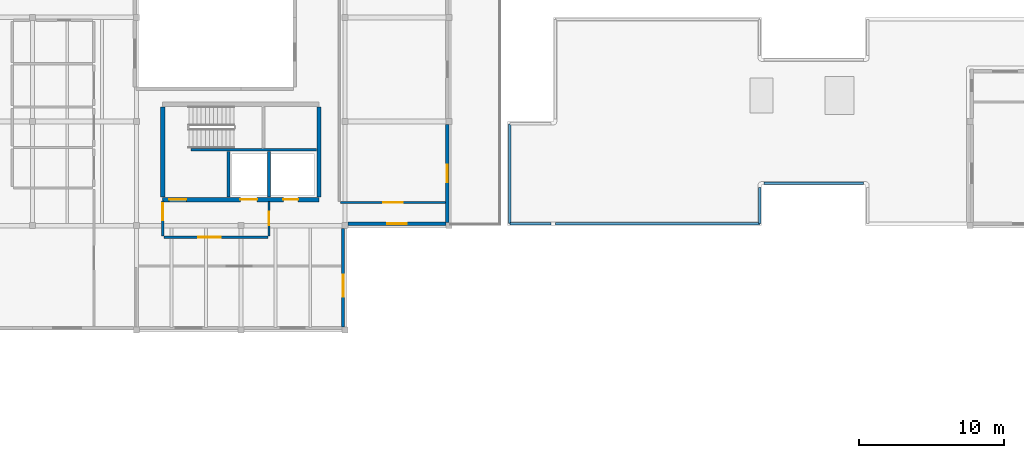
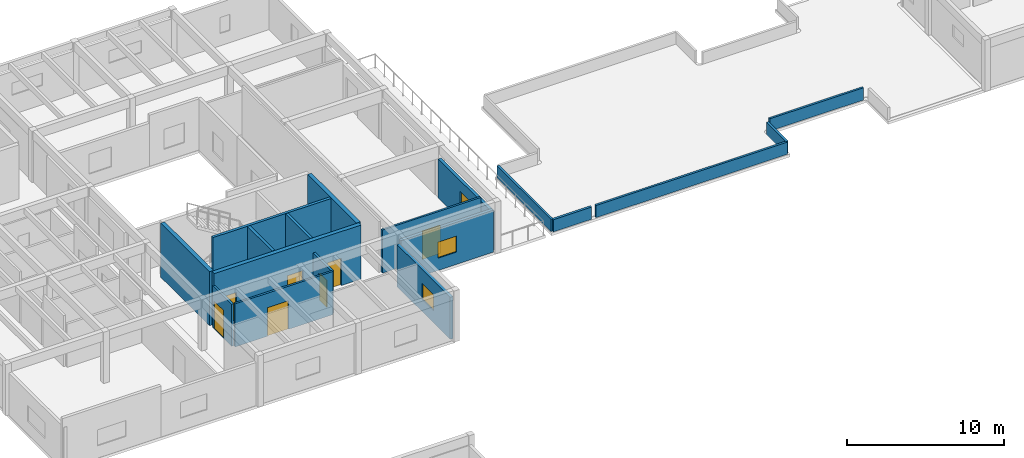
# One storey, part 5 of 15: 18 walls, 7 doors, 3 windows, 10 openings.
"""IFC4 building model written with IfcOpenShell, lengths in metres."""

import ifcopenshell
import ifcopenshell.guid

model = None  # the IFC model being written
_history = None  # IfcOwnerHistory: only IFC2X3 demands one
_inside = {}  # id of a spatial element -> (the spatial element, [elements in it])
_under = {}  # id of a project, library or spatial element -> (it, [spatial elements below it])
_declared = {}  # id of a project -> (the project, [libraries it declares])
_typed = {}  # id of a type object -> (the type object, [elements of that type])
_made_of = {}  # id of a material, layer set ... -> (it, [elements and type objects made of it])


def new_model(schema):
    """Start an empty IFC model of exactly this schema.

    Asked for "IFC4X3", IfcOpenShell would pick the latest addendum, in which some entities
    have other attributes; the version numbers below select the first issue.
    IFC2X3 requires an IfcOwnerHistory on every rooted entity: one is made here for all.
    """
    global model, _history
    if schema == "IFC4X3":
        model = ifcopenshell.file(schema_version=(4, 3, 0, 0))
    else:
        model = ifcopenshell.file(schema=schema)
    _inside.clear()
    _under.clear()
    _declared.clear()
    _typed.clear()
    _made_of.clear()
    _history = None
    if model.schema == "IFC2X3":
        org = make("IfcOrganization", Name="unknown")
        user = make(
            "IfcPersonAndOrganization",
            ThePerson=make("IfcPerson", FamilyName="unknown"),
            TheOrganization=org,
        )
        app = make(
            "IfcApplication",
            ApplicationDeveloper=org,
            Version="unknown",
            ApplicationFullName="unknown",
            ApplicationIdentifier="unknown",
        )
        _history = make(
            "IfcOwnerHistory",
            OwningUser=user,
            OwningApplication=app,
            ChangeAction="ADDED",
            CreationDate=0,
        )
    return model


def make(cls, **values):
    """One entity of the class cls with the attributes given. An attribute that is None is left unset."""
    return model.create_entity(
        cls, **{name: value for name, value in values.items() if value is not None}
    )


def rooted(cls, **values):
    """An entity with a GlobalId (a new one), such as an element, a storey or a relation."""
    return make(cls, GlobalId=ifcopenshell.guid.new(), OwnerHistory=_history, **values)


def si_unit(unit_type, name, prefix=None):
    """IfcSIUnit, for example si_unit("LENGTHUNIT", "METRE", prefix="MILLI")."""
    return make("IfcSIUnit", UnitType=unit_type, Prefix=prefix, Name=name)


def assignment(units):
    """IfcUnitAssignment: the units of a project."""
    return None if units is None else make("IfcUnitAssignment", Units=units)


def point(xyz):
    """IfcCartesianPoint."""
    return None if xyz is None else make("IfcCartesianPoint", Coordinates=xyz)


def direction(xyz):
    """IfcDirection."""
    return None if xyz is None else make("IfcDirection", DirectionRatios=xyz)


def frame(location, z_axis=None, x_axis=None):
    """IfcAxis2Placement3D, a coordinate frame: its origin and axes. An axis left out is left unset."""
    return make(
        "IfcAxis2Placement3D",
        Location=point(location),
        Axis=direction(z_axis),
        RefDirection=direction(x_axis),
    )


def frame_2d(location, x_axis=None):
    """IfcAxis2Placement2D, a coordinate frame in the plane: its origin and x axis."""
    return make(
        "IfcAxis2Placement2D", Location=point(location), RefDirection=direction(x_axis)
    )


def origin():
    """The frame at (0, 0, 0) with its axes left unset."""
    return frame((0.0, 0.0, 0.0))


def place(relative_to, where):
    """IfcLocalPlacement: puts the frame where relative to a parent placement (None: the world)."""
    return make(
        "IfcLocalPlacement", PlacementRelTo=relative_to, RelativePlacement=where
    )


def context(
    kind, dimensions, precision=None, world=None, true_north=None, identifier=None
):
    """IfcGeometricRepresentationContext, for example the 3D "Model" context."""
    return make(
        "IfcGeometricRepresentationContext",
        ContextIdentifier=identifier,
        ContextType=kind,
        CoordinateSpaceDimension=dimensions,
        Precision=precision,
        WorldCoordinateSystem=world,
        TrueNorth=true_north,
    )


def subcontext(parent, identifier, kind, view, scale=None):
    """IfcGeometricRepresentationSubContext, for example "Body" below "Model"."""
    return make(
        "IfcGeometricRepresentationSubContext",
        ContextIdentifier=identifier,
        ContextType=kind,
        ParentContext=parent,
        TargetScale=scale,
        TargetView=view,
    )


def project(units=None, contexts=None):
    """IfcProject with its units and contexts."""
    return rooted(
        "IfcProject",
        Name="project",
        RepresentationContexts=contexts,
        UnitsInContext=assignment(units),
    )


def spatial(cls, under=None, at=None, **own):
    """A site, building, storey or space (cls), placed at a placement, below another one or the project."""
    s = rooted(cls, ObjectPlacement=at, **own)
    if under is not None:
        _under.setdefault(under.id(), (under, []))[1].append(s)
    return s


def profile(cls, at=None, kind="AREA", **sizes):
    """A parametric profile (cls). Its sizes go by their IFC names, for example OverallWidth=200.0."""
    return make(cls, ProfileType=kind, Position=at, **sizes)


def rectangle(**sizes):
    """IfcRectangleProfileDef."""
    return profile("IfcRectangleProfileDef", **sizes)


def extrude(swept, where, along, depth):
    """IfcExtrudedAreaSolid: the profile swept, set in the frame where, extruded along a direction by depth."""
    return make(
        "IfcExtrudedAreaSolid",
        SweptArea=swept,
        Position=where,
        ExtrudedDirection=direction(along),
        Depth=depth,
    )


def shape(context_of_items, identifier, shape_type, items):
    """IfcShapeRepresentation: the items that make up one representation, for example the "Body"."""
    return make(
        "IfcShapeRepresentation",
        ContextOfItems=context_of_items,
        RepresentationIdentifier=identifier,
        RepresentationType=shape_type,
        Items=items,
    )


def material(Name=None, Category=None):
    """IfcMaterial."""
    return make("IfcMaterial", Name=Name, Category=Category)


def layer(
    of_material, thickness, ventilated=None, Name=None, Category=None, Priority=None
):
    """IfcMaterialLayer: one layer of a wall or slab, of a material (None: an air gap)."""
    return make(
        "IfcMaterialLayer",
        Material=of_material,
        LayerThickness=thickness,
        IsVentilated=ventilated,
        Name=Name,
        Category=Category,
        Priority=Priority,
    )


def layer_set(layers, Name=None):
    """IfcMaterialLayerSet."""
    return make("IfcMaterialLayerSet", MaterialLayers=layers, LayerSetName=Name)


def made_of(thing, what):
    """Note that an element or type object is made of a material, layer set ...; save() writes the relation."""
    if what is not None:
        _made_of.setdefault(what.id(), (what, []))[1].append(thing)
    return thing


def type_object(cls, material=None, **own):
    """A type object (cls), such as IfcWallType, which elements share."""
    return made_of(rooted(cls, **own), material)


def element(
    cls,
    number,
    at=None,
    inside=None,
    cuts=None,
    type_object=None,
    material=None,
    context=None,
    identifier="Body",
    shape_type=None,
    held_by="IfcProductDefinitionShape",
    body=None,
    shapes=None,
    **own,
):
    """One element of the class cls, such as IfcWall. Its Tag is "e" and its number.

    at: its placement. inside: the storey or other place that contains it. cuts: it is an
    opening in that element (IfcRelVoidsElement). A single representation is given by context,
    identifier, shape_type and body (its items); several are given by shapes. held_by: the class
    of the entity that holds the representations. save() writes the other relations.
    """
    e = rooted(cls, Tag="e%d" % number, ObjectPlacement=at, **own)
    if body is not None:
        shapes = [shape(context, identifier, shape_type, body)]
    if shapes is not None:
        e.Representation = make(held_by, Representations=shapes)
    if inside is not None:
        _inside.setdefault(inside.id(), (inside, []))[1].append(e)
    if cuts is not None:
        rooted(
            "IfcRelVoidsElement", RelatingBuildingElement=cuts, RelatedOpeningElement=e
        )
    if type_object is not None:
        _typed.setdefault(type_object.id(), (type_object, []))[1].append(e)
    return made_of(e, material)


def fill(opening, filler):
    """IfcRelFillsElement: the door or window that sits in an opening."""
    return rooted(
        "IfcRelFillsElement",
        RelatingOpeningElement=opening,
        RelatedBuildingElement=filler,
    )


def aggregate(whole, parts):
    """IfcRelAggregates: a whole, such as a stair, and the parts it consists of."""
    return rooted("IfcRelAggregates", RelatingObject=whole, RelatedObjects=parts)


def save(model, path):
    """Write the relations noted so far, then the file.

    IfcRelAggregates (storeys below a building ...), IfcRelContainedInSpatialStructure (elements
    in a storey), IfcRelDefinesByType, IfcRelAssociatesMaterial and IfcRelDeclares: one each for
    every whole, place, type object, material and project.
    """
    for whole, parts in _under.values():
        aggregate(whole, parts)
    for where, things in _inside.values():
        rooted(
            "IfcRelContainedInSpatialStructure",
            RelatedElements=things,
            RelatingStructure=where,
        )
    for kind, things in _typed.values():
        rooted("IfcRelDefinesByType", RelatedObjects=things, RelatingType=kind)
    for what, things in _made_of.values():
        rooted("IfcRelAssociatesMaterial", RelatedObjects=things, RelatingMaterial=what)
    for by, libraries in _declared.values():
        rooted("IfcRelDeclares", RelatingContext=by, RelatedDefinitions=libraries)
    model.write(path)


model = new_model("IFC4")

# Units and contexts
model_context = context("Model", 3, precision=1e-05, world=origin(), true_north=direction((0.0, 1.0)))
body_context = subcontext(model_context, "Body", "Model", "MODEL_VIEW")
ifc_project = project(units=[si_unit("LENGTHUNIT", "METRE"), si_unit("AREAUNIT", "SQUARE_METRE"), si_unit("VOLUMEUNIT", "CUBIC_METRE"), si_unit("PLANEANGLEUNIT", "RADIAN"), si_unit("MASSUNIT", "GRAM", prefix="KILO")], contexts=[model_context])

# Site, building, storey
site_placement = place(None, origin())
site = spatial("IfcSite", under=ifc_project, at=site_placement, CompositionType="ELEMENT")
building_placement = place(site_placement, origin())
building = spatial("IfcBuilding", under=site, at=building_placement, Name="Bramvelor Terrace Health Centre", CompositionType="ELEMENT")
storey_placement = place(building_placement, frame((0.0, 0.0, 13.5)))
storey = spatial("IfcBuildingStorey", under=building, at=storey_placement, Name="L04", CompositionType="ELEMENT", Elevation=13.5)

# Wall, opening, door
ifc_material_1 = material(Name="Fire-rated gypsum and mineral wool", Category="gypsum")
ifc_layer_1 = layer(ifc_material_1, 0.139892578125)
ifc_layer_set_1 = layer_set([ifc_layer_1], Name="Fire-rated gypsum and mineral wool")
wall_type_1 = type_object("IfcWallType", Name="WL-COR-140", PredefinedType="PARTITIONING", material=ifc_layer_set_1)
wall_1_placement = place(storey_placement, frame((35.75, 88.001953125, 0.0), z_axis=(0.0, 0.0, 1.0), x_axis=(-1.0, 0.0, 0.0)))
wall_1 = element("IfcWall", 1, at=wall_1_placement, inside=storey, type_object=wall_type_1, Name="L04 Interior Partition 303", PredefinedType="PARTITIONING", context=body_context, shape_type="SweptSolid", body=[
    extrude(rectangle(XDim=7.258056640625, YDim=0.139892578125, at=frame_2d((3.62890625, 0.0))), origin(), (0.0, 0.0, 1.0), 3.35009765625),
])
opening_1_placement = place(wall_1_placement, frame((2.968994140625, 0.0, 0.0)))
opening_1 = element("IfcOpeningElement", 2, at=opening_1_placement, cuts=wall_1, Name="Opening FD-05", PredefinedType="OPENING", context=body_context, shape_type="SweptSolid", body=[
    extrude(rectangle(XDim=1.320068359375, YDim=2.199951171875, at=frame_2d((0.66015625, 1.10009765625))), frame((0.0, 0.079833984375, 0.0), z_axis=(0.0, -1.0, 0.0), x_axis=(1.0, 0.0, 0.0)), (0.0, 0.0, 1.0), 0.159912109375),
])
ifc_material_2 = material(Name="Fire-rated steel and vision panel", Category="steel")
door_type_1 = type_object("IfcDoorType", Name="DR-FD60-132", OperationType="NOTDEFINED", PredefinedType="DOOR", material=ifc_material_2)
door_1_placement = place(opening_1_placement, origin())
door_1 = element("IfcDoor", 3, at=door_1_placement, inside=storey, type_object=door_type_1, Name="L04 Step-2 Terrace Rehabilitation Lounge Fire Door", OperationType="SINGLE_SWING_LEFT", OverallHeight=2.199951171875, OverallWidth=1.320068359375, PredefinedType="DOOR", context=body_context, shape_type="SweptSolid", body=[
    extrude(rectangle(XDim=1.320068359375, YDim=2.199951171875, at=frame_2d((0.66015625, 1.10009765625))), frame((0.0, 0.02490234375, 0.0), z_axis=(0.0, -1.0, 0.0), x_axis=(1.0, 0.0, 0.0)), (0.0, 0.0, 1.0), 0.050048828125),
])
fill(opening_1, door_1)

# Walls
ifc_material_3 = material(Name="Concrete C40/50", Category="concrete")
ifc_layer_2 = layer(ifc_material_3, 0.199951171875)
ifc_layer_set_2 = layer_set([ifc_layer_2], Name="Concrete C40/50")
wall_type_2 = type_object("IfcWallType", Name="WL-CORE-200", PredefinedType="SHEAR", material=ifc_layer_set_2)
wall_2_placement = place(storey_placement, frame((18.14990234375, 91.64990234375, 0.0), z_axis=(0.0, 0.0, 1.0), x_axis=(1.0, 0.0, 0.0)))
element("IfcWall", 4, at=wall_2_placement, inside=storey, type_object=wall_type_2, Name="C2 L04 Core Shear Wall", PredefinedType="SHEAR", context=body_context, shape_type="SweptSolid", body=[
    extrude(rectangle(XDim=8.670166015625, YDim=0.199951171875, at=frame_2d((4.3349609375, 0.0))), origin(), (0.0, 0.0, 1.0), 4.199951171875),
])
for number, where, z_axis, x_axis, name in (
    (5, (20.75, 88.3798828125, 0.0), (0.0, 0.0, 1.0), (0.0, 1.0, 0.0), "C2 L04 Core Shear Wall"),
    (6, (23.550048828125, 88.3798828125, 0.0), (0.0, 0.0, 1.0), (0.0, 1.0, 0.0), "C2 L04 Lift Divider Wall"),
):
    element("IfcWall", number, at=place(storey_placement, frame(where, z_axis=z_axis, x_axis=x_axis)), inside=storey, type_object=wall_type_2, Name=name, PredefinedType="SHEAR", context=body_context, shape_type="SweptSolid", body=[
        extrude(rectangle(XDim=3.150146484375, YDim=0.199951171875, at=frame_2d((1.5751953125, 0.0))), origin(), (0.0, 0.0, 1.0), 4.199951171875),
    ])

# Wall, openings, doors
ifc_material_4 = material(Name="Concrete C40/50", Category="concrete")
ifc_layer_3 = layer(ifc_material_4, 0.300048828125)
ifc_layer_set_3 = layer_set([ifc_layer_3], Name="Concrete C40/50")
wall_type_3 = type_object("IfcWallType", Name="WL-CORE-300", PredefinedType="SHEAR", material=ifc_layer_set_3)
wall_3_placement = place(storey_placement, frame((16.199951171875, 88.199951171875, 0.0), z_axis=(0.0, 0.0, 1.0), x_axis=(1.0, 0.0, 0.0)))
wall_3 = element("IfcWall", 7, at=wall_3_placement, inside=storey, type_object=wall_type_3, Name="C2 L04 Core Shear Wall", PredefinedType="SHEAR", context=body_context, shape_type="SweptSolid", body=[
    extrude(rectangle(XDim=10.800048828125, YDim=0.300048828125, at=frame_2d((5.39990234375, 0.0))), origin(), (0.0, 0.0, 1.0), 4.199951171875),
])
opening_2_placement = place(wall_3_placement, frame((0.449951171875, 0.0, 0.0)))
opening_2 = element("IfcOpeningElement", 8, at=opening_2_placement, cuts=wall_3, Name="Opening FD-02", PredefinedType="OPENING", context=body_context, shape_type="SweptSolid", body=[
    extrude(rectangle(XDim=1.179931640625, YDim=2.159912109375, at=frame_2d((0.58984375, 1.080078125))), frame((0.0, 0.159912109375, 0.0), z_axis=(0.0, -1.0, 0.0), x_axis=(1.0, 0.0, 0.0)), (0.0, 0.0, 1.0), 0.320068359375),
])
opening_3_placement = place(wall_3_placement, frame((5.375, 0.0, 0.0)))
opening_3 = element("IfcOpeningElement", 9, at=opening_3_placement, cuts=wall_3, Name="Opening LD-1", PredefinedType="OPENING", context=body_context, shape_type="SweptSolid", body=[
    extrude(rectangle(XDim=1.14990234375, YDim=2.14990234375, at=frame_2d((0.574951171875, 1.074951171875))), frame((0.0, 0.159912109375, 0.0), z_axis=(0.0, -1.0, 0.0), x_axis=(1.0, 0.0, 0.0)), (0.0, 0.0, 1.0), 0.320068359375),
])
opening_4_placement = place(wall_3_placement, frame((8.340087890625, 0.0, 0.0)))
opening_4 = element("IfcOpeningElement", 10, at=opening_4_placement, cuts=wall_3, Name="Opening LD-2", PredefinedType="OPENING", context=body_context, shape_type="SweptSolid", body=[
    extrude(rectangle(XDim=1.02001953125, YDim=2.1201171875, at=frame_2d((0.510009765625, 1.06005859375))), frame((0.0, 0.159912109375, 0.0), z_axis=(0.0, -1.0, 0.0), x_axis=(1.0, 0.0, 0.0)), (0.0, 0.0, 1.0), 0.320068359375),
])
ifc_material_5 = material(Name="Fire-rated steel and vision panel", Category="steel")
door_type_2 = type_object("IfcDoorType", Name="DR-FD90-118", OperationType="NOTDEFINED", PredefinedType="DOOR", material=ifc_material_5)
door_2_placement = place(opening_2_placement, origin())
door_2 = element("IfcDoor", 11, at=door_2_placement, inside=storey, type_object=door_type_2, Name="C2 L04 Core Stair Fire Door", OperationType="SINGLE_SWING_LEFT", OverallHeight=2.159912109375, OverallWidth=1.179931640625, PredefinedType="DOOR", context=body_context, shape_type="SweptSolid", body=[
    extrude(rectangle(XDim=1.179931640625, YDim=2.159912109375, at=frame_2d((0.58984375, 1.080078125))), frame((0.0, 0.02490234375, 0.0), z_axis=(0.0, -1.0, 0.0), x_axis=(1.0, 0.0, 0.0)), (0.0, 0.0, 1.0), 0.050048828125),
])
fill(opening_2, door_2)
ifc_material_6 = material(Name="Brushed stainless steel 316", Category="steel")
door_type_3 = type_object("IfcDoorType", Name="DR-LIFT-FF115", OperationType="DOUBLE_DOOR_SLIDING", PredefinedType="DOOR", material=ifc_material_6)
door_3_placement = place(opening_3_placement, origin())
door_3 = element("IfcDoor", 12, at=door_3_placement, inside=storey, type_object=door_type_3, Name="Lift LF-02 L04 Sliding Landing Door", OperationType="DOUBLE_DOOR_SLIDING", OverallHeight=2.14990234375, OverallWidth=1.14990234375, PredefinedType="DOOR", context=body_context, shape_type="SweptSolid", body=[
    extrude(rectangle(XDim=1.14990234375, YDim=2.14990234375, at=frame_2d((0.574951171875, 1.074951171875))), frame((0.0, 0.02490234375, 0.0), z_axis=(0.0, -1.0, 0.0), x_axis=(1.0, 0.0, 0.0)), (0.0, 0.0, 1.0), 0.050048828125),
])
fill(opening_3, door_3)
ifc_material_7 = material(Name="Brushed stainless steel 316", Category="steel")
door_type_4 = type_object("IfcDoorType", Name="DR-LIFT-PS102", OperationType="SLIDING_TO_LEFT", PredefinedType="DOOR", material=ifc_material_7)
door_4_placement = place(opening_4_placement, origin())
door_4 = element("IfcDoor", 13, at=door_4_placement, inside=storey, type_object=door_type_4, Name="Lift LP-02 L04 Sliding Landing Door", OperationType="SLIDING_TO_LEFT", OverallHeight=2.1201171875, OverallWidth=1.02001953125, PredefinedType="DOOR", context=body_context, shape_type="SweptSolid", body=[
    extrude(rectangle(XDim=1.02001953125, YDim=2.1201171875, at=frame_2d((0.510009765625, 1.06005859375))), frame((0.0, 0.02490234375, 0.0), z_axis=(0.0, -1.0, 0.0), x_axis=(1.0, 0.0, 0.0)), (0.0, 0.0, 1.0), 0.050048828125),
])
fill(opening_4, door_4)

# Walls
for number, where, z_axis, x_axis, name in (
    (14, (16.199951171875, 88.3798828125, 0.0), (0.0, 0.0, 1.0), (0.0, 1.0, 0.0), "C2 L04 Core Shear Wall"),
    (15, (27.0, 88.3798828125, 0.0), (0.0, 0.0, 1.0), (0.0, 1.0, 0.0), "C2 L04 Core Shear Wall"),
):
    element("IfcWall", number, at=place(storey_placement, frame(where, z_axis=z_axis, x_axis=x_axis)), inside=storey, type_object=wall_type_3, Name=name, PredefinedType="SHEAR", context=body_context, shape_type="SweptSolid", body=[
        extrude(rectangle(XDim=6.240234375, YDim=0.300048828125, at=frame_2d((3.1201171875, 0.0))), origin(), (0.0, 0.0, 1.0), 4.199951171875),
    ])

# Wall, opening, window
ifc_material_8 = material(Name="Cross-laminated timber C24", Category="wood")
ifc_layer_4 = layer(ifc_material_8, 0.219970703125)
ifc_layer_set_4 = layer_set([ifc_layer_4], Name="Cross-laminated timber C24")
wall_type_4 = type_object("IfcWallType", Name="WL-EXT-CLT220", PredefinedType="SOLIDWALL", material=ifc_layer_set_4)
wall_4_placement = place(storey_placement, frame((35.8701171875, 93.39501953125, 0.0), z_axis=(0.0, 0.0, 1.0), x_axis=(0.0, -1.0, 0.0)))
wall_4 = element("IfcWall", 16, at=wall_4_placement, inside=storey, type_object=wall_type_4, Name="L04 Exterior Facade Wall 38", PredefinedType="SOLIDWALL", context=body_context, shape_type="SweptSolid", body=[
    extrude(rectangle(XDim=6.7900390625, YDim=0.219970703125, at=frame_2d((3.39501953125, 0.0))), origin(), (0.0, 0.0, 1.0), 3.030029296875),
])
opening_5_placement = place(wall_4_placement, frame((2.794921875, 0.0, 0.949951171875)))
opening_5 = element("IfcOpeningElement", 17, at=opening_5_placement, cuts=wall_4, Name="Opening WN-28", PredefinedType="OPENING", context=body_context, shape_type="SweptSolid", body=[
    extrude(rectangle(XDim=1.199951171875, YDim=1.25, at=frame_2d((0.60009765625, 0.625))), frame((0.0, 0.119873046875, 0.0), z_axis=(0.0, -1.0, 0.0), x_axis=(1.0, 0.0, 0.0)), (0.0, 0.0, 1.0), 0.239990234375),
])
ifc_material_9 = material(Name="Double low-E laminated glass", Category="glass")
window_type_1 = type_object("IfcWindowType", Name="WIN-EXT-28", PartitioningType="SINGLE_PANEL", PredefinedType="WINDOW", material=ifc_material_9)
window_1_placement = place(opening_5_placement, origin())
window_1 = element("IfcWindow", 18, at=window_1_placement, inside=storey, type_object=window_type_1, Name="L04 Scheduled Clinical Window 208", OverallHeight=1.25, OverallWidth=1.199951171875, PartitioningType="SINGLE_PANEL", PredefinedType="WINDOW", context=body_context, shape_type="SweptSolid", body=[
    extrude(rectangle(XDim=1.199951171875, YDim=1.25, at=frame_2d((0.60009765625, 0.625))), frame((0.0, 0.030029296875, 0.0), z_axis=(0.0, -1.0, 0.0), x_axis=(1.0, 0.0, 0.0)), (0.0, 0.0, 1.0), 0.06005859375),
])
fill(opening_5, window_1)

wall_5_placement = place(storey_placement, frame((35.794921875, 86.530029296875, 0.0), z_axis=(0.0, 0.0, 1.0), x_axis=(-1.0, 0.0, 0.0)))
wall_5 = element("IfcWall", 19, at=wall_5_placement, inside=storey, type_object=wall_type_4, Name="L04 Exterior Facade Wall 39", PredefinedType="SOLIDWALL", context=body_context, shape_type="SweptSolid", body=[
    extrude(rectangle(XDim=6.7900390625, YDim=0.219970703125, at=frame_2d((3.39501953125, 0.0))), origin(), (0.0, 0.0, 1.0), 3.27001953125),
])
opening_6_placement = place(wall_5_placement, frame((2.719970703125, 0.0, 0.949951171875)))
opening_6 = element("IfcOpeningElement", 20, at=opening_6_placement, cuts=wall_5, Name="Opening WN-29", PredefinedType="OPENING", context=body_context, shape_type="SweptSolid", body=[
    extrude(rectangle(XDim=1.35009765625, YDim=1.25, at=frame_2d((0.675048828125, 0.625))), frame((0.0, 0.119873046875, 0.0), z_axis=(0.0, -1.0, 0.0), x_axis=(1.0, 0.0, 0.0)), (0.0, 0.0, 1.0), 0.239990234375),
])
ifc_material_10 = material(Name="Double low-E laminated glass", Category="glass")
window_type_2 = type_object("IfcWindowType", Name="WIN-EXT-29", PartitioningType="SINGLE_PANEL", PredefinedType="WINDOW", material=ifc_material_10)
window_2_placement = place(opening_6_placement, origin())
window_2 = element("IfcWindow", 21, at=window_2_placement, inside=storey, type_object=window_type_2, Name="L04 Scheduled Clinical Window 209", OverallHeight=1.25, OverallWidth=1.35009765625, PartitioningType="SINGLE_PANEL", PredefinedType="WINDOW", context=body_context, shape_type="SweptSolid", body=[
    extrude(rectangle(XDim=1.35009765625, YDim=1.25, at=frame_2d((0.675048828125, 0.625))), frame((0.0, 0.030029296875, 0.0), z_axis=(0.0, -1.0, 0.0), x_axis=(1.0, 0.0, 0.0)), (0.0, 0.0, 1.0), 0.06005859375),
])
fill(opening_6, window_2)

wall_6_placement = place(storey_placement, frame((28.669921875, 86.195068359375, 0.0), z_axis=(0.0, 0.0, 1.0), x_axis=(0.0, -1.0, 0.0)))
wall_6 = element("IfcWall", 22, at=wall_6_placement, inside=storey, type_object=wall_type_4, Name="L04 Exterior Facade Wall 40", PredefinedType="SOLIDWALL", context=body_context, shape_type="SweptSolid", body=[
    extrude(rectangle(XDim=6.7900390625, YDim=0.219970703125, at=frame_2d((3.39501953125, 0.0))), origin(), (0.0, 0.0, 1.0), 3.27001953125),
])
opening_7_placement = place(wall_6_placement, frame((3.195068359375, 0.0, 0.949951171875)))
opening_7 = element("IfcOpeningElement", 23, at=opening_7_placement, cuts=wall_6, Name="Opening WN-30", PredefinedType="OPENING", context=body_context, shape_type="SweptSolid", body=[
    extrude(rectangle(XDim=1.5, YDim=1.25, at=frame_2d((0.75, 0.625))), frame((0.0, 0.119873046875, 0.0), z_axis=(0.0, -1.0, 0.0), x_axis=(1.0, 0.0, 0.0)), (0.0, 0.0, 1.0), 0.239990234375),
])
ifc_material_11 = material(Name="Double low-E laminated glass", Category="glass")
window_type_3 = type_object("IfcWindowType", Name="WIN-EXT-30", PartitioningType="SINGLE_PANEL", PredefinedType="WINDOW", material=ifc_material_11)
window_3_placement = place(opening_7_placement, origin())
window_3 = element("IfcWindow", 24, at=window_3_placement, inside=storey, type_object=window_type_3, Name="L04 Scheduled Clinical Window 210", OverallHeight=1.25, OverallWidth=1.5, PartitioningType="SINGLE_PANEL", PredefinedType="WINDOW", context=body_context, shape_type="SweptSolid", body=[
    extrude(rectangle(XDim=1.5, YDim=1.25, at=frame_2d((0.75, 0.625))), frame((0.0, 0.030029296875, 0.0), z_axis=(0.0, -1.0, 0.0), x_axis=(1.0, 0.0, 0.0)), (0.0, 0.0, 1.0), 0.06005859375),
])
fill(opening_7, window_3)

# Wall, opening, door
ifc_material_12 = material(Name="Fire-rated gypsum and mineral wool", Category="gypsum")
ifc_layer_5 = layer(ifc_material_12, 0.14990234375)
ifc_layer_set_5 = layer_set([ifc_layer_5], Name="Fire-rated gypsum and mineral wool")
wall_type_5 = type_object("IfcWallType", Name="WL-FIR-150", PredefinedType="PARTITIONING", material=ifc_layer_set_5)
wall_7_placement = place(storey_placement, frame((16.199951171875, 85.68994140625, 0.0), z_axis=(0.0, 0.0, 1.0), x_axis=(0.0, 1.0, 0.0)))
wall_7 = element("IfcWall", 25, at=wall_7_placement, inside=storey, type_object=wall_type_5, Name="L04 Interior Partition 282", PredefinedType="PARTITIONING", context=body_context, shape_type="SweptSolid", body=[
    extrude(rectangle(XDim=2.4150390625, YDim=0.14990234375, at=frame_2d((1.20751953125, 0.0))), origin(), (0.0, 0.0, 1.0), 3.27001953125),
])
opening_8_placement = place(wall_7_placement, frame((1.0673828125, 0.0, 0.0)))
opening_8 = element("IfcOpeningElement", 26, at=opening_8_placement, cuts=wall_7, Name="Opening FD-02", PredefinedType="OPENING", context=body_context, shape_type="SweptSolid", body=[
    extrude(rectangle(XDim=1.179931640625, YDim=2.159912109375, at=frame_2d((0.58984375, 1.080078125))), frame((0.0, 0.0849609375, 0.0), z_axis=(0.0, -1.0, 0.0), x_axis=(1.0, 0.0, 0.0)), (0.0, 0.0, 1.0), 0.169921875),
])
door_5_placement = place(opening_8_placement, origin())
door_5 = element("IfcDoor", 27, at=door_5_placement, inside=storey, type_object=door_type_2, Name="L04 Fire Compartment Lobby Door 115", OperationType="SINGLE_SWING_RIGHT", OverallHeight=2.159912109375, OverallWidth=1.179931640625, PredefinedType="DOOR", context=body_context, shape_type="SweptSolid", body=[
    extrude(rectangle(XDim=1.179931640625, YDim=2.159912109375, at=frame_2d((0.58984375, 1.080078125))), frame((0.0, 0.02490234375, 0.0), z_axis=(0.0, -1.0, 0.0), x_axis=(1.0, 0.0, 0.0)), (0.0, 0.0, 1.0), 0.050048828125),
])
fill(opening_8, door_5)

wall_8_placement = place(storey_placement, frame((23.550048828125, 88.083251953125, 0.0), z_axis=(0.0, 0.0, 1.0), x_axis=(0.0, -1.0, 0.0)))
wall_8 = element("IfcWall", 28, at=wall_8_placement, inside=storey, type_object=wall_type_5, Name="L04 Interior Partition 283", PredefinedType="PARTITIONING", context=body_context, shape_type="SweptSolid", body=[
    extrude(rectangle(XDim=2.393310546875, YDim=0.14990234375, at=frame_2d((1.19677734375, 0.0))), origin(), (0.0, 0.0, 1.0), 3.27001953125),
])
opening_9_placement = place(wall_8_placement, frame((0.7265625, 0.0, 0.0)))
opening_9 = element("IfcOpeningElement", 29, at=opening_9_placement, cuts=wall_8, Name="Opening FD-08", PredefinedType="OPENING", context=body_context, shape_type="SweptSolid", body=[
    extrude(rectangle(XDim=0.93994140625, YDim=2.10009765625, at=frame_2d((0.469970703125, 1.050048828125))), frame((0.0, 0.0849609375, 0.0), z_axis=(0.0, -1.0, 0.0), x_axis=(1.0, 0.0, 0.0)), (0.0, 0.0, 1.0), 0.169921875),
])
ifc_material_13 = material(Name="Fire-rated steel and vision panel", Category="steel")
door_type_5 = type_object("IfcDoorType", Name="DR-FD60-094", OperationType="NOTDEFINED", PredefinedType="DOOR", material=ifc_material_13)
door_6_placement = place(opening_9_placement, origin())
door_6 = element("IfcDoor", 30, at=door_6_placement, inside=storey, type_object=door_type_5, Name="L04 Fire Compartment Lobby Door 116", OperationType="SINGLE_SWING_LEFT", OverallHeight=2.10009765625, OverallWidth=0.93994140625, PredefinedType="DOOR", context=body_context, shape_type="SweptSolid", body=[
    extrude(rectangle(XDim=0.93994140625, YDim=2.10009765625, at=frame_2d((0.469970703125, 1.050048828125))), frame((0.0, 0.02490234375, 0.0), z_axis=(0.0, -1.0, 0.0), x_axis=(1.0, 0.0, 0.0)), (0.0, 0.0, 1.0), 0.050048828125),
])
fill(opening_9, door_6)

wall_9_placement = place(storey_placement, frame((23.4599609375, 85.60009765625, 0.0), z_axis=(0.0, 0.0, 1.0), x_axis=(-1.0, 0.0, 0.0)))
wall_9 = element("IfcWall", 31, at=wall_9_placement, inside=storey, type_object=wall_type_5, Name="L04 Interior Partition 284", PredefinedType="PARTITIONING", context=body_context, shape_type="SweptSolid", body=[
    extrude(rectangle(XDim=7.169921875, YDim=0.14990234375, at=frame_2d((3.5849609375, 0.0))), origin(), (0.0, 0.0, 1.0), 3.35009765625),
])
opening_10_placement = place(wall_9_placement, frame((3.2548828125, 0.0, 0.0)))
opening_10 = element("IfcOpeningElement", 32, at=opening_10_placement, cuts=wall_9, Name="Opening FD-03", PredefinedType="OPENING", context=body_context, shape_type="SweptSolid", body=[
    extrude(rectangle(XDim=1.56005859375, YDim=2.219970703125, at=frame_2d((0.780029296875, 1.10986328125))), frame((0.0, 0.0849609375, 0.0), z_axis=(0.0, -1.0, 0.0), x_axis=(1.0, 0.0, 0.0)), (0.0, 0.0, 1.0), 0.169921875),
])
ifc_material_14 = material(Name="Fire-rated steel and vision panel", Category="steel")
door_type_6 = type_object("IfcDoorType", Name="DR-FD90-156", OperationType="DOUBLE_DOOR_SINGLE_SWING", PredefinedType="DOOR", material=ifc_material_14)
door_7_placement = place(opening_10_placement, origin())
door_7 = element("IfcDoor", 33, at=door_7_placement, inside=storey, type_object=door_type_6, Name="L04 Fire Compartment Lobby Door 117", OperationType="DOUBLE_DOOR_SINGLE_SWING", OverallHeight=2.219970703125, OverallWidth=1.56005859375, PredefinedType="DOOR", context=body_context, shape_type="SweptSolid", body=[
    extrude(rectangle(XDim=1.56005859375, YDim=2.219970703125, at=frame_2d((0.780029296875, 1.10986328125))), frame((0.0, 0.02490234375, 0.0), z_axis=(0.0, -1.0, 0.0), x_axis=(1.0, 0.0, 0.0)), (0.0, 0.0, 1.0), 0.050048828125),
])
fill(opening_10, door_7)

# Walls
ifc_material_15 = material(Name="Precast concrete C40/50", Category="concrete")
ifc_layer_6 = layer(ifc_material_15, 0.155029296875)
ifc_layer_set_6 = layer_set([ifc_layer_6], Name="Precast concrete C40/50")
wall_type_6 = type_object("IfcWallType", Name="WL-PAR-155", PredefinedType="PARAPET", material=ifc_layer_set_6)
wall_10_placement = place(storey_placement, frame((64.639892578125, 89.340087890625, 0.0), z_axis=(0.0, 0.0, 1.0), x_axis=(-1.0, 0.0, 0.0)))
element("IfcWall", 34, at=wall_10_placement, inside=storey, type_object=wall_type_6, Name="L04 Roof Parapet Upstand 21", PredefinedType="PARAPET", context=body_context, shape_type="SweptSolid", body=[
    extrude(rectangle(XDim=6.8798828125, YDim=0.155029296875, at=frame_2d((3.43994140625, 0.0))), origin(), (0.0, 0.0, 1.0), 0.949951171875),
])
wall_11_placement = place(storey_placement, frame((57.43994140625, 86.5400390625, 0.0), z_axis=(0.0, 0.0, 1.0), x_axis=(-1.0, 0.0, 0.0)))
element("IfcWall", 35, at=wall_11_placement, inside=storey, type_object=wall_type_6, Name="L04 Roof Parapet Upstand 23", PredefinedType="PARAPET", context=body_context, shape_type="SweptSolid", body=[
    extrude(rectangle(XDim=14.079833984375, YDim=0.155029296875, at=frame_2d((7.0400390625, 0.0))), origin(), (0.0, 0.0, 1.0), 0.949951171875),
])
wall_12_placement = place(storey_placement, frame((40.18994140625, 86.56005859375, 0.0), z_axis=(0.0, 0.0, 1.0), x_axis=(0.0, 1.0, 0.0)))
element("IfcWall", 36, at=wall_12_placement, inside=storey, type_object=wall_type_6, Name="L04 Roof Parapet Upstand 25", PredefinedType="PARAPET", context=body_context, shape_type="SweptSolid", body=[
    extrude(rectangle(XDim=6.8798828125, YDim=0.155029296875, at=frame_2d((3.43994140625, 0.0))), origin(), (0.0, 0.0, 1.0), 0.949951171875),
])
ifc_material_16 = material(Name="Precast concrete C40/50", Category="concrete")
ifc_layer_7 = layer(ifc_material_16, 0.175048828125)
ifc_layer_set_7 = layer_set([ifc_layer_7], Name="Precast concrete C40/50")
wall_type_7 = type_object("IfcWallType", Name="WL-PAR-175", PredefinedType="PARAPET", material=ifc_layer_set_7)
wall_13_placement = place(storey_placement, frame((57.4599609375, 89.0400390625, 0.0), z_axis=(0.0, 0.0, 1.0), x_axis=(0.0, -1.0, 0.0)))
element("IfcWall", 37, at=wall_13_placement, inside=storey, type_object=wall_type_7, Name="L04 Roof Parapet Upstand 22", PredefinedType="PARAPET", context=body_context, shape_type="SweptSolid", body=[
    extrude(rectangle(XDim=2.47998046875, YDim=0.175048828125, at=frame_2d((1.239990234375, 0.0))), origin(), (0.0, 0.0, 1.0), 0.949951171875),
])
wall_14_placement = place(storey_placement, frame((43.0400390625, 86.5400390625, 0.0), z_axis=(0.0, 0.0, 1.0), x_axis=(-1.0, 0.0, 0.0)))
element("IfcWall", 38, at=wall_14_placement, inside=storey, type_object=wall_type_7, Name="L04 Roof Parapet Upstand 24", PredefinedType="PARAPET", context=body_context, shape_type="SweptSolid", body=[
    extrude(rectangle(XDim=2.830078125, YDim=0.175048828125, at=frame_2d((1.4150390625, 0.0))), origin(), (0.0, 0.0, 1.0), 0.949951171875),
])

save(model, "model.ifc")
